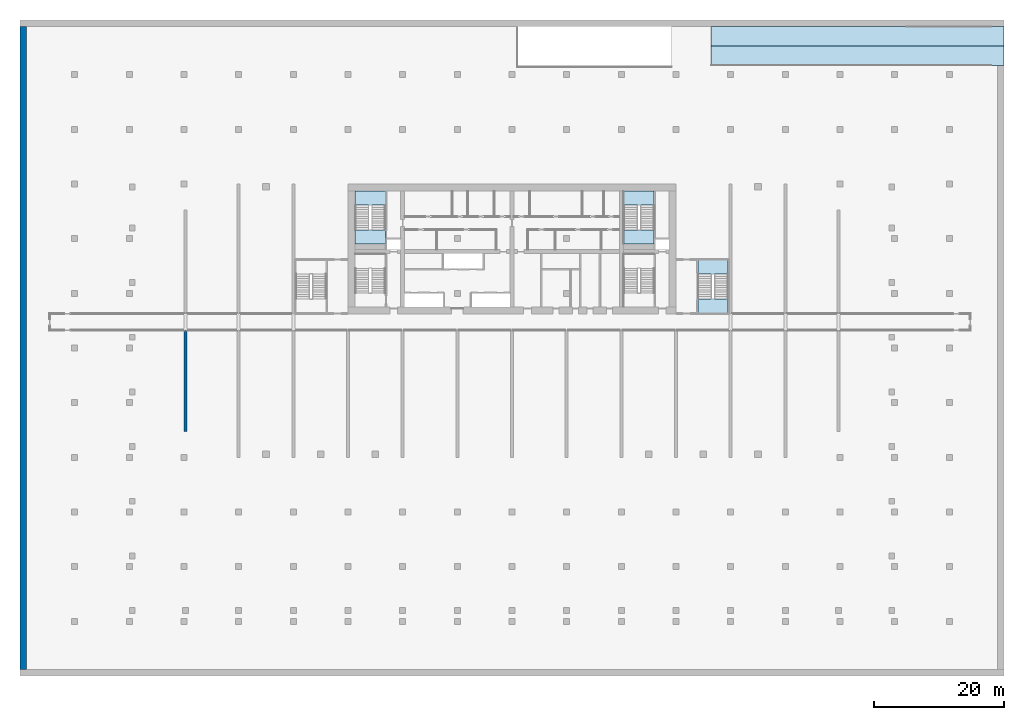
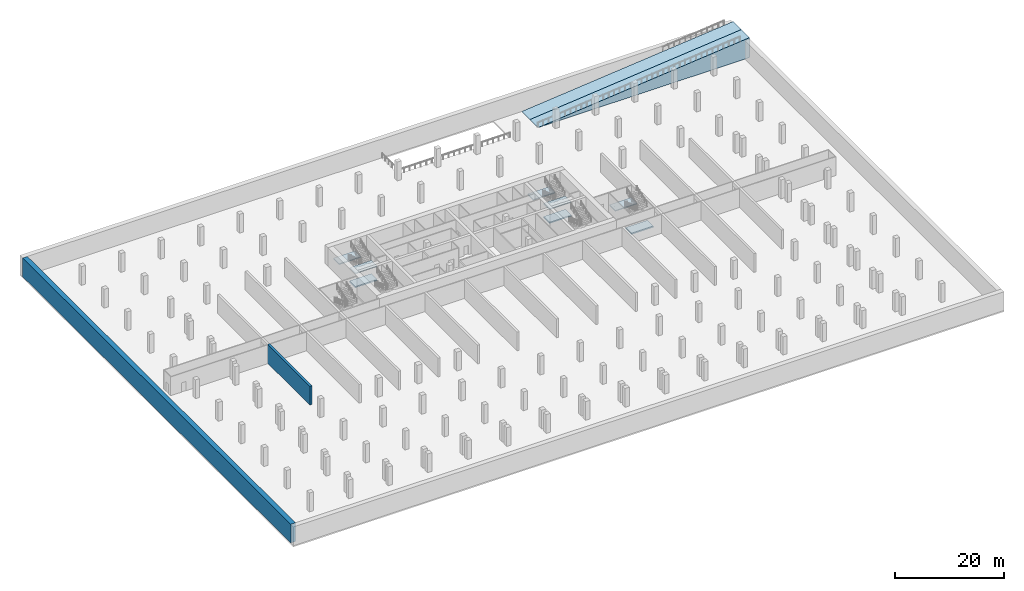
# One storey, part 2 of 12: 10 slabs, 2 walls, 3 elements without a shape of their own.
"""IFC4 building model written with IfcOpenShell, lengths in metres."""

from ifc_helpers import new_model, si_unit, direction, frame, frame_2d, origin, place, context, subcontext, project, spatial, polyline, rectangle, outline, extrude, source, transform, mapped, material, layer, layer_set, type_object, element, aggregate, save


model = new_model("IFC4")

# Units and contexts
model_context = context("Model", 3, precision=1e-05, world=origin(), true_north=direction((0.0, 1.0)))
body_context = subcontext(model_context, "Body", "Model", "MODEL_VIEW")
ifc_project = project(units=[si_unit("LENGTHUNIT", "METRE"), si_unit("AREAUNIT", "SQUARE_METRE"), si_unit("VOLUMEUNIT", "CUBIC_METRE"), si_unit("PLANEANGLEUNIT", "RADIAN"), si_unit("MASSUNIT", "GRAM", prefix="KILO")], contexts=[model_context])

# Site, building, storey
site_placement = place(None, origin())
site = spatial("IfcSite", under=ifc_project, at=site_placement, CompositionType="ELEMENT")
building_placement = place(site_placement, origin())
building = spatial("IfcBuilding", under=site, at=building_placement, Name="Vanashikhar Sky Hotel", CompositionType="ELEMENT")
storey_placement = place(building_placement, frame((0.0, 0.0, -4.5)))
storey = spatial("IfcBuildingStorey", under=building, at=storey_placement, Name="B1", CompositionType="ELEMENT", Elevation=-4.5)

# Stair, slab
ifc_material_1 = material(Name="Concrete M40", Category="concrete")
stair_type = type_object("IfcStairType", Name="Exit stair 2150", PredefinedType="DOUBLE_RETURN_STAIR", material=ifc_material_1)
stair_1_placement = place(storey_placement, origin())
stair_1 = element("IfcStair", 1, at=stair_1_placement, inside=storey, type_object=stair_type, Name="B1 Exit stair 4", PredefinedType="DOUBLE_RETURN_STAIR")
ifc_layer_1 = layer(ifc_material_1, 0.199951171875)
ifc_layer_set_1 = layer_set([ifc_layer_1], Name="Stair landing 200")
slab_type_1 = type_object("IfcSlabType", Name="Stair landing 200", PredefinedType="LANDING", material=ifc_layer_set_1)
shared_shape_1 = source(origin(), body_context, "Body", "SweptSolid", [
    extrude(outline(polyline([(83.60009765625, 28.14990234375), (83.60009765625, 30.300048828125), (78.949951171875, 30.300048828125), (78.949951171875, 28.14990234375), (83.60009765625, 28.14990234375)])), origin(), (0.0, 0.0, 1.0), 0.199951171875),
])
slab_1_placement = place(storey_placement, frame((0.0, 0.0, 1.300048828125)))
slab_1 = element("IfcSlab", 2, at=slab_1_placement, type_object=slab_type_1, Name="ST-E landing 1", PredefinedType="LANDING", context=body_context, shape_type="MappedRepresentation", body=[
    mapped(shared_shape_1, transform((0.0, 0.0, 0.0), scale=1.0)),
])
aggregate(stair_1, [slab_1])

# Slab
ifc_layer_2 = layer(ifc_material_1, 0.280029296875)
ifc_layer_set_2 = layer_set([ifc_layer_2], Name="Stair floor landing 280")
slab_type_2 = type_object("IfcSlabType", Name="Stair floor landing 280", PredefinedType="LANDING", material=ifc_layer_set_2)
shared_shape_2 = source(origin(), body_context, "Body", "SweptSolid", [
    extrude(outline(polyline([(83.60009765625, 22.199951171875), (83.60009765625, 24.35009765625), (78.949951171875, 24.35009765625), (78.949951171875, 22.199951171875), (83.60009765625, 22.199951171875)])), origin(), (0.0, 0.0, 1.0), 0.280029296875),
])
slab_2_placement = place(storey_placement, frame((0.0, 0.0, -0.280029296875)))
element("IfcSlab", 3, at=slab_2_placement, inside=storey, type_object=slab_type_2, Name="Exit stair 4 floor landing", PredefinedType="LANDING", context=body_context, shape_type="MappedRepresentation", body=[
    mapped(shared_shape_2, transform((0.0, 0.0, 0.0), scale=1.0)),
])

# Stair, slabs
stair_2_placement = place(storey_placement, origin())
stair_2 = element("IfcStair", 4, at=stair_2_placement, inside=storey, type_object=stair_type, Name="B1 Exit stair 5", PredefinedType="DOUBLE_RETURN_STAIR")
shared_shape_3 = source(origin(), body_context, "Body", "SweptSolid", [
    extrude(outline(polyline([(30.949951171875, 38.75), (30.949951171875, 40.89990234375), (26.300048828125, 40.89990234375), (26.300048828125, 38.75), (30.949951171875, 38.75)])), origin(), (0.0, 0.0, 1.0), 0.199951171875),
])
slab_3_placement = place(storey_placement, frame((0.0, 0.0, 1.300048828125)))
slab_3 = element("IfcSlab", 5, at=slab_3_placement, type_object=slab_type_1, Name="ST-C3 landing 1", PredefinedType="LANDING", context=body_context, shape_type="MappedRepresentation", body=[
    mapped(shared_shape_3, transform((0.0, 0.0, 0.0), scale=1.0)),
])
shared_shape_4 = source(origin(), body_context, "Body", "SweptSolid", [
    extrude(outline(polyline([(30.949951171875, 32.800048828125), (30.949951171875, 34.949951171875), (26.300048828125, 34.949951171875), (26.300048828125, 32.800048828125), (30.949951171875, 32.800048828125)])), origin(), (0.0, 0.0, 1.0), 0.199951171875),
])
slab_4_placement = place(storey_placement, frame((0.0, 0.0, 2.800048828125)))
slab_4 = element("IfcSlab", 6, at=slab_4_placement, type_object=slab_type_1, Name="ST-C3 landing 2", PredefinedType="LANDING", context=body_context, shape_type="MappedRepresentation", body=[
    mapped(shared_shape_4, transform((0.0, 0.0, 0.0), scale=1.0)),
])
aggregate(stair_2, [slab_3, slab_4])

# Slab
shared_shape_5 = source(origin(), body_context, "Body", "SweptSolid", [
    extrude(outline(polyline([(30.949951171875, 32.800048828125), (30.949951171875, 34.949951171875), (26.300048828125, 34.949951171875), (26.300048828125, 32.800048828125), (30.949951171875, 32.800048828125)])), origin(), (0.0, 0.0, 1.0), 0.280029296875),
])
slab_5_placement = place(storey_placement, frame((0.0, 0.0, -0.280029296875)))
element("IfcSlab", 7, at=slab_5_placement, inside=storey, type_object=slab_type_2, Name="Exit stair 5 floor landing", PredefinedType="LANDING", context=body_context, shape_type="MappedRepresentation", body=[
    mapped(shared_shape_5, transform((0.0, 0.0, 0.0), scale=1.0)),
])

# Stair, slabs
stair_3_placement = place(storey_placement, origin())
stair_3 = element("IfcStair", 8, at=stair_3_placement, inside=storey, type_object=stair_type, Name="B1 Exit stair 6", PredefinedType="DOUBLE_RETURN_STAIR")
shared_shape_6 = source(origin(), body_context, "Body", "SweptSolid", [
    extrude(outline(polyline([(72.25, 38.75), (72.25, 40.89990234375), (67.60009765625, 40.89990234375), (67.60009765625, 38.75), (72.25, 38.75)])), origin(), (0.0, 0.0, 1.0), 0.199951171875),
])
slab_6_placement = place(storey_placement, frame((0.0, 0.0, 1.300048828125)))
slab_6 = element("IfcSlab", 9, at=slab_6_placement, type_object=slab_type_1, Name="ST-C4 landing 1", PredefinedType="LANDING", context=body_context, shape_type="MappedRepresentation", body=[
    mapped(shared_shape_6, transform((0.0, 0.0, 0.0), scale=1.0)),
])
shared_shape_7 = source(origin(), body_context, "Body", "SweptSolid", [
    extrude(outline(polyline([(72.25, 32.800048828125), (72.25, 34.949951171875), (67.60009765625, 34.949951171875), (67.60009765625, 32.800048828125), (72.25, 32.800048828125)])), origin(), (0.0, 0.0, 1.0), 0.199951171875),
])
slab_7_placement = place(storey_placement, frame((0.0, 0.0, 2.800048828125)))
slab_7 = element("IfcSlab", 10, at=slab_7_placement, type_object=slab_type_1, Name="ST-C4 landing 2", PredefinedType="LANDING", context=body_context, shape_type="MappedRepresentation", body=[
    mapped(shared_shape_7, transform((0.0, 0.0, 0.0), scale=1.0)),
])
aggregate(stair_3, [slab_6, slab_7])

# Slabs
shared_shape_8 = source(origin(), body_context, "Body", "SweptSolid", [
    extrude(outline(polyline([(72.25, 32.800048828125), (72.25, 34.949951171875), (67.60009765625, 34.949951171875), (67.60009765625, 32.800048828125), (72.25, 32.800048828125)])), origin(), (0.0, 0.0, 1.0), 0.280029296875),
])
slab_8_placement = place(storey_placement, frame((0.0, 0.0, -0.280029296875)))
element("IfcSlab", 11, at=slab_8_placement, inside=storey, type_object=slab_type_2, Name="Exit stair 6 floor landing", PredefinedType="LANDING", context=body_context, shape_type="MappedRepresentation", body=[
    mapped(shared_shape_8, transform((0.0, 0.0, 0.0), scale=1.0)),
])
ifc_material_2 = material(Name="Concrete M30", Category="concrete")
slab_type_3 = type_object("IfcSlabType", Name="Vehicle ramp flight on fill", PredefinedType="USERDEFINED", material=ifc_material_2)
shared_shape_9 = source(origin(), body_context, "Body", "SweptSolid", [
    extrude(outline(polyline([(0.0, 0.0), (45.0, 0.0), (45.0, 0.0), (0.0, 4.5), (0.0, 0.0)])), frame((0.0, 1.5, 0.0), z_axis=(0.0, -1.0, 0.0), x_axis=(1.0, 0.0, 0.0)), (0.0, 0.0, 1.0), 3.0),
])
for number, where, z_axis, x_axis, name in (
    (12, (126.0, 61.699951171875, 0.0), (0.0, 0.0, 1.0), (-1.0, 0.0, 0.0), "Entry vehicle ramp slab 1"),
    (13, (126.0, 64.699951171875, 0.0), (0.0, 0.0, 1.0), (-1.0, 0.0, 0.0), "Exit vehicle ramp slab 1"),
):
    element("IfcSlab", number, at=place(storey_placement, frame(where, z_axis=z_axis, x_axis=x_axis)), inside=storey, type_object=slab_type_3, Name=name, ObjectType="Ramp slab", PredefinedType="USERDEFINED", context=body_context, shape_type="MappedRepresentation", body=[
        mapped(shared_shape_9, transform((0.0, 0.0, 0.0), scale=1.0)),
    ])

# Walls
ifc_material_3 = material(Name="Concrete M50", Category="concrete")
ifc_layer_3 = layer(ifc_material_3, 1.0)
ifc_layer_set_3 = layer_set([ifc_layer_3], Name="RC retaining wall 1000 Concrete M50")
wall_type_1 = type_object("IfcWallType", Name="RC retaining wall 1000 Concrete M50", PredefinedType="SHEAR", material=ifc_layer_set_3)
shared_shape_10 = source(origin(), body_context, "Body", "SweptSolid", [
    extrude(rectangle(XDim=98.800048828125, YDim=1.0, at=frame_2d((49.39990234375, 0.0))), origin(), (0.0, 0.0, 1.0), 4.219970703125),
])
wall_1_placement = place(storey_placement, frame((-24.699951171875, -32.60009765625, 0.0), z_axis=(0.0, 0.0, 1.0), x_axis=(0.0, 1.0, 0.0)))
element("IfcWall", 14, at=wall_1_placement, inside=storey, type_object=wall_type_1, Name="RW-B1-W", PredefinedType="SHEAR", context=body_context, shape_type="MappedRepresentation", body=[
    mapped(shared_shape_10, transform((0.0, 0.0, 0.0), scale=1.0)),
])
ifc_material_4 = material(Name="Concrete M80", Category="concrete")
ifc_layer_4 = layer(ifc_material_4, 0.449951171875)
ifc_layer_set_4 = layer_set([ifc_layer_4], Name="RC shear wall 450 Concrete M80")
wall_type_2 = type_object("IfcWallType", Name="RC shear wall 450 Concrete M80", PredefinedType="SHEAR", material=ifc_layer_set_4)
shared_shape_11 = source(origin(), body_context, "Body", "SweptSolid", [
    extrude(rectangle(XDim=15.60009765625, YDim=0.449951171875, at=frame_2d((7.800048828125, 0.0))), origin(), (0.0, 0.0, 1.0), 4.219970703125),
])
wall_2_placement = place(storey_placement, frame((0.22509765625, 4.0, 0.0), z_axis=(0.0, 0.0, 1.0), x_axis=(0.0, 1.0, 0.0)))
element("IfcWall", 15, at=wall_2_placement, inside=storey, type_object=wall_type_2, Name="CW-B1-XW01-1", PredefinedType="SHEAR", context=body_context, shape_type="MappedRepresentation", body=[
    mapped(shared_shape_11, transform((0.0, 0.0, 0.0), scale=1.0)),
])

save(model, "model.ifc")
